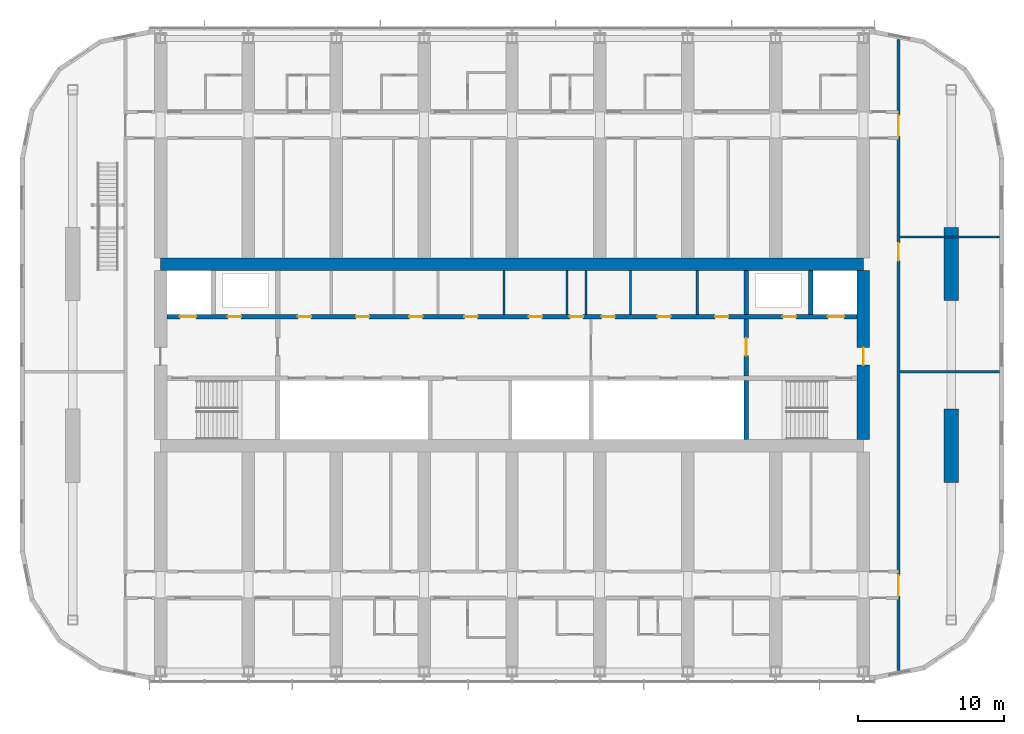
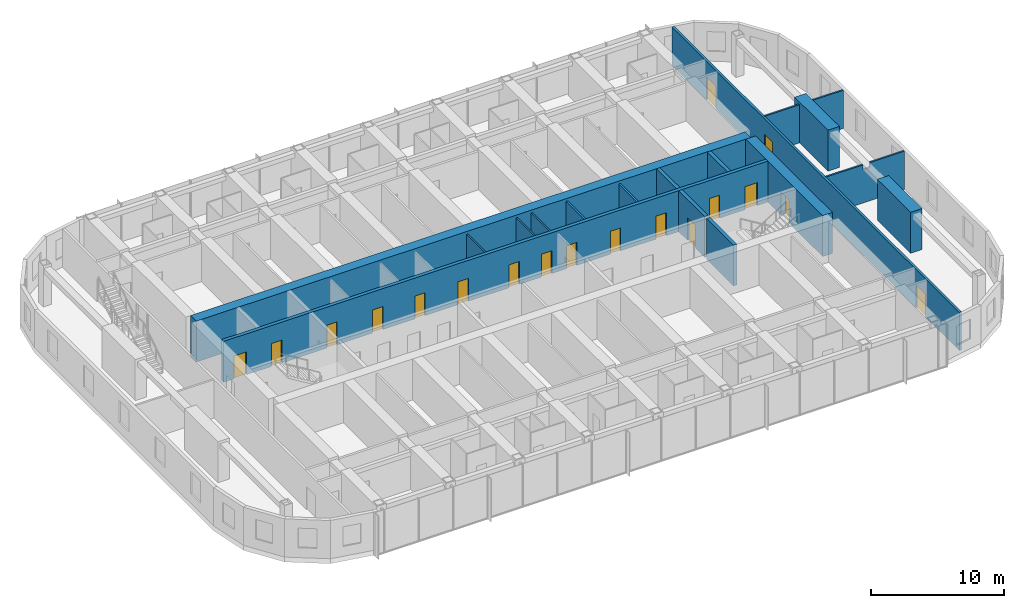
# One storey, part 18 of 29: 18 doors, 17 walls, 18 openings.
"""IFC4 building model written with IfcOpenShell, lengths in metres."""

from ifc_helpers import new_model, si_unit, direction, frame, frame_2d, origin, place, context, subcontext, project, spatial, polyline, rectangle, outline, extrude, material, layer, layer_set, type_object, element, fill, save


model = new_model("IFC4")

# Units and contexts
model_context = context("Model", 3, precision=1e-05, world=origin(), true_north=direction((0.0, 1.0)))
body_context = subcontext(model_context, "Body", "Model", "MODEL_VIEW")
ifc_project = project(units=[si_unit("LENGTHUNIT", "METRE"), si_unit("AREAUNIT", "SQUARE_METRE"), si_unit("VOLUMEUNIT", "CUBIC_METRE"), si_unit("PLANEANGLEUNIT", "RADIAN"), si_unit("MASSUNIT", "GRAM", prefix="KILO")], contexts=[model_context])

# Site, building, storey
site_placement = place(None, origin())
site = spatial("IfcSite", under=ifc_project, at=site_placement, CompositionType="ELEMENT")
building_placement = place(site_placement, origin())
building = spatial("IfcBuilding", under=site, at=building_placement, Name="Orbita Commons", CompositionType="ELEMENT")
storey_placement = place(building_placement, frame((0.0, 0.0, 148.60009765625)))
storey = spatial("IfcBuildingStorey", under=building, at=storey_placement, Name="L36", CompositionType="ELEMENT", Elevation=148.60009765625)

# Wall, openings, doors
ifc_material_1 = material(Name="Concrete C50/60", Category="concrete")
ifc_layer_1 = layer(ifc_material_1, 0.300048828125)
ifc_layer_set_1 = layer_set([ifc_layer_1], Name="Concrete C50/60")
wall_type_1 = type_object("IfcWallType", Name="Core inner wall 300 C50/60", PredefinedType="SHEAR", material=ifc_layer_set_1)
wall_1_placement = place(storey_placement, frame((18.425048828125, 34.60009765625, 0.0), z_axis=(0.0, 0.0, 1.0), x_axis=(1.0, 0.0, 0.0)))
wall_1 = element("IfcWall", 1, at=wall_1_placement, inside=storey, type_object=wall_type_1, Name="Lobby wall north L36", PredefinedType="SHEAR", context=body_context, shape_type="SweptSolid", body=[
    extrude(rectangle(XDim=47.14990234375, YDim=0.300048828125, at=frame_2d((23.574951171875, 0.0))), origin(), (0.0, 0.0, 1.0), 3.75),
])
opening_1_placement = place(wall_1_placement, frame((0.89990234375, 0.0, 0.0)))
opening_1 = element("IfcOpeningElement", 2, at=opening_1_placement, cuts=wall_1, Name="Opening LD01", PredefinedType="OPENING", context=body_context, shape_type="SweptSolid", body=[
    extrude(rectangle(XDim=1.10009765625, YDim=2.10009765625, at=frame_2d((0.550048828125, 1.050048828125))), frame((0.0, 0.159912109375, 0.0), z_axis=(0.0, -1.0, 0.0), x_axis=(1.0, 0.0, 0.0)), (0.0, 0.0, 1.0), 0.320068359375),
])
opening_2_placement = place(wall_1_placement, frame((45.14990234375, 0.0, 0.0)))
opening_2 = element("IfcOpeningElement", 3, at=opening_2_placement, cuts=wall_1, Name="Opening LD01", PredefinedType="OPENING", context=body_context, shape_type="SweptSolid", body=[
    extrude(rectangle(XDim=1.10009765625, YDim=2.10009765625, at=frame_2d((0.550048828125, 1.050048828125))), frame((0.0, 0.159912109375, 0.0), z_axis=(0.0, -1.0, 0.0), x_axis=(1.0, 0.0, 0.0)), (0.0, 0.0, 1.0), 0.320068359375),
])
opening_3_placement = place(wall_1_placement, frame((4.175048828125, 0.0, 0.0)))
opening_3 = element("IfcOpeningElement", 4, at=opening_3_placement, cuts=wall_1, Name="Opening D03", PredefinedType="OPENING", context=body_context, shape_type="SweptSolid", body=[
    extrude(rectangle(XDim=0.89990234375, YDim=2.10009765625, at=frame_2d((0.449951171875, 1.050048828125))), frame((0.0, 0.159912109375, 0.0), z_axis=(0.0, -1.0, 0.0), x_axis=(1.0, 0.0, 0.0)), (0.0, 0.0, 1.0), 0.320068359375),
])
opening_4_placement = place(wall_1_placement, frame((42.074951171875, 0.0, 0.0)))
opening_4 = element("IfcOpeningElement", 5, at=opening_4_placement, cuts=wall_1, Name="Opening D03", PredefinedType="OPENING", context=body_context, shape_type="SweptSolid", body=[
    extrude(rectangle(XDim=0.89990234375, YDim=2.10009765625, at=frame_2d((0.449951171875, 1.050048828125))), frame((0.0, 0.159912109375, 0.0), z_axis=(0.0, -1.0, 0.0), x_axis=(1.0, 0.0, 0.0)), (0.0, 0.0, 1.0), 0.320068359375),
])
opening_5_placement = place(wall_1_placement, frame((8.950439453125, 0.0, 0.0)))
opening_5 = element("IfcOpeningElement", 6, at=opening_5_placement, cuts=wall_1, Name="Opening D03", PredefinedType="OPENING", context=body_context, shape_type="SweptSolid", body=[
    extrude(rectangle(XDim=0.89990234375, YDim=2.10009765625, at=frame_2d((0.449951171875, 1.050048828125))), frame((0.0, 0.159912109375, 0.0), z_axis=(0.0, -1.0, 0.0), x_axis=(1.0, 0.0, 0.0)), (0.0, 0.0, 1.0), 0.320068359375),
])
opening_6_placement = place(wall_1_placement, frame((12.923583984375, 0.0, 0.0)))
opening_6 = element("IfcOpeningElement", 7, at=opening_6_placement, cuts=wall_1, Name="Opening D03", PredefinedType="OPENING", context=body_context, shape_type="SweptSolid", body=[
    extrude(rectangle(XDim=0.89990234375, YDim=2.10009765625, at=frame_2d((0.449951171875, 1.050048828125))), frame((0.0, 0.159912109375, 0.0), z_axis=(0.0, -1.0, 0.0), x_axis=(1.0, 0.0, 0.0)), (0.0, 0.0, 1.0), 0.320068359375),
])
opening_7_placement = place(wall_1_placement, frame((16.5712890625, 0.0, 0.0)))
opening_7 = element("IfcOpeningElement", 8, at=opening_7_placement, cuts=wall_1, Name="Opening D03", PredefinedType="OPENING", context=body_context, shape_type="SweptSolid", body=[
    extrude(rectangle(XDim=0.89990234375, YDim=2.10009765625, at=frame_2d((0.449951171875, 1.050048828125))), frame((0.0, 0.159912109375, 0.0), z_axis=(0.0, -1.0, 0.0), x_axis=(1.0, 0.0, 0.0)), (0.0, 0.0, 1.0), 0.320068359375),
])
opening_8_placement = place(wall_1_placement, frame((20.32958984375, 0.0, 0.0)))
opening_8 = element("IfcOpeningElement", 9, at=opening_8_placement, cuts=wall_1, Name="Opening D05", PredefinedType="OPENING", context=body_context, shape_type="SweptSolid", body=[
    extrude(rectangle(XDim=0.89990234375, YDim=2.10009765625, at=frame_2d((0.449951171875, 1.050048828125))), frame((0.0, 0.159912109375, 0.0), z_axis=(0.0, -1.0, 0.0), x_axis=(1.0, 0.0, 0.0)), (0.0, 0.0, 1.0), 0.320068359375),
])
opening_9_placement = place(wall_1_placement, frame((24.735595703125, 0.0, 0.0)))
opening_9 = element("IfcOpeningElement", 10, at=opening_9_placement, cuts=wall_1, Name="Opening D03", PredefinedType="OPENING", context=body_context, shape_type="SweptSolid", body=[
    extrude(rectangle(XDim=0.89990234375, YDim=2.10009765625, at=frame_2d((0.449951171875, 1.050048828125))), frame((0.0, 0.159912109375, 0.0), z_axis=(0.0, -1.0, 0.0), x_axis=(1.0, 0.0, 0.0)), (0.0, 0.0, 1.0), 0.320068359375),
])
opening_10_placement = place(wall_1_placement, frame((27.533447265625, 0.0, 0.0)))
opening_10 = element("IfcOpeningElement", 11, at=opening_10_placement, cuts=wall_1, Name="Opening D03", PredefinedType="OPENING", context=body_context, shape_type="SweptSolid", body=[
    extrude(rectangle(XDim=0.89990234375, YDim=2.10009765625, at=frame_2d((0.449951171875, 1.050048828125))), frame((0.0, 0.159912109375, 0.0), z_axis=(0.0, -1.0, 0.0), x_axis=(1.0, 0.0, 0.0)), (0.0, 0.0, 1.0), 0.320068359375),
])
opening_11_placement = place(wall_1_placement, frame((29.703125, 0.0, 0.0)))
opening_11 = element("IfcOpeningElement", 12, at=opening_11_placement, cuts=wall_1, Name="Opening D05", PredefinedType="OPENING", context=body_context, shape_type="SweptSolid", body=[
    extrude(rectangle(XDim=0.89990234375, YDim=2.10009765625, at=frame_2d((0.449951171875, 1.050048828125))), frame((0.0, 0.159912109375, 0.0), z_axis=(0.0, -1.0, 0.0), x_axis=(1.0, 0.0, 0.0)), (0.0, 0.0, 1.0), 0.320068359375),
])
opening_12_placement = place(wall_1_placement, frame((33.502197265625, 0.0, 0.0)))
opening_12 = element("IfcOpeningElement", 13, at=opening_12_placement, cuts=wall_1, Name="Opening D05", PredefinedType="OPENING", context=body_context, shape_type="SweptSolid", body=[
    extrude(rectangle(XDim=0.89990234375, YDim=2.10009765625, at=frame_2d((0.449951171875, 1.050048828125))), frame((0.0, 0.159912109375, 0.0), z_axis=(0.0, -1.0, 0.0), x_axis=(1.0, 0.0, 0.0)), (0.0, 0.0, 1.0), 0.320068359375),
])
opening_13_placement = place(wall_1_placement, frame((37.453369140625, 0.0, 0.0)))
opening_13 = element("IfcOpeningElement", 14, at=opening_13_placement, cuts=wall_1, Name="Opening D03", PredefinedType="OPENING", context=body_context, shape_type="SweptSolid", body=[
    extrude(rectangle(XDim=0.89990234375, YDim=2.10009765625, at=frame_2d((0.449951171875, 1.050048828125))), frame((0.0, 0.159912109375, 0.0), z_axis=(0.0, -1.0, 0.0), x_axis=(1.0, 0.0, 0.0)), (0.0, 0.0, 1.0), 0.320068359375),
])
ifc_material_2 = material(Name="Steel-faced fire door leaf", Category="steel")
door_type_1 = type_object("IfcDoorType", Name="Firefighting lift landing door 1100x2100", OperationType="DOUBLE_DOOR_SLIDING", PredefinedType="DOOR", material=ifc_material_2)
door_1_placement = place(opening_1_placement, origin())
door_1 = element("IfcDoor", 15, at=door_1_placement, inside=storey, type_object=door_type_1, Name="Firefighting lift FL1 landing door", OperationType="DOUBLE_DOOR_SLIDING", OverallHeight=2.10009765625, OverallWidth=1.10009765625, PredefinedType="DOOR", context=body_context, shape_type="SweptSolid", body=[
    extrude(rectangle(XDim=1.10009765625, YDim=2.10009765625, at=frame_2d((0.550048828125, 1.050048828125))), frame((0.0, 0.02490234375, 0.0), z_axis=(0.0, -1.0, 0.0), x_axis=(1.0, 0.0, 0.0)), (0.0, 0.0, 1.0), 0.050048828125),
])
fill(opening_1, door_1)
door_2_placement = place(opening_2_placement, origin())
door_2 = element("IfcDoor", 16, at=door_2_placement, inside=storey, type_object=door_type_1, Name="Firefighting lift FL2 landing door", OperationType="DOUBLE_DOOR_SLIDING", OverallHeight=2.10009765625, OverallWidth=1.10009765625, PredefinedType="DOOR", context=body_context, shape_type="SweptSolid", body=[
    extrude(rectangle(XDim=1.10009765625, YDim=2.10009765625, at=frame_2d((0.550048828125, 1.050048828125))), frame((0.0, 0.02490234375, 0.0), z_axis=(0.0, -1.0, 0.0), x_axis=(1.0, 0.0, 0.0)), (0.0, 0.0, 1.0), 0.050048828125),
])
fill(opening_2, door_2)
ifc_material_3 = material(Name="Steel-faced fire door leaf", Category="steel")
door_type_2 = type_object("IfcDoorType", Name="Service door 20 min 900x2100", OperationType="SINGLE_SWING_LEFT", PredefinedType="DOOR", material=ifc_material_3)
door_3_placement = place(opening_8_placement, origin())
door_3 = element("IfcDoor", 17, at=door_3_placement, inside=storey, type_object=door_type_2, Name="Accessible WC door", OperationType="SINGLE_SWING_LEFT", OverallHeight=2.10009765625, OverallWidth=0.89990234375, PredefinedType="DOOR", context=body_context, shape_type="SweptSolid", body=[
    extrude(rectangle(XDim=0.89990234375, YDim=2.10009765625, at=frame_2d((0.449951171875, 1.050048828125))), frame((0.0, 0.02490234375, 0.0), z_axis=(0.0, -1.0, 0.0), x_axis=(1.0, 0.0, 0.0)), (0.0, 0.0, 1.0), 0.050048828125),
])
fill(opening_8, door_3)
door_4_placement = place(opening_11_placement, origin())
door_4 = element("IfcDoor", 18, at=door_4_placement, inside=storey, type_object=door_type_2, Name="Staff WC door", OperationType="SINGLE_SWING_LEFT", OverallHeight=2.10009765625, OverallWidth=0.89990234375, PredefinedType="DOOR", context=body_context, shape_type="SweptSolid", body=[
    extrude(rectangle(XDim=0.89990234375, YDim=2.10009765625, at=frame_2d((0.449951171875, 1.050048828125))), frame((0.0, 0.02490234375, 0.0), z_axis=(0.0, -1.0, 0.0), x_axis=(1.0, 0.0, 0.0)), (0.0, 0.0, 1.0), 0.050048828125),
])
fill(opening_11, door_4)
door_5_placement = place(opening_12_placement, origin())
door_5 = element("IfcDoor", 19, at=door_5_placement, inside=storey, type_object=door_type_2, Name="Vending and ice room door", OperationType="SINGLE_SWING_LEFT", OverallHeight=2.10009765625, OverallWidth=0.89990234375, PredefinedType="DOOR", context=body_context, shape_type="SweptSolid", body=[
    extrude(rectangle(XDim=0.89990234375, YDim=2.10009765625, at=frame_2d((0.449951171875, 1.050048828125))), frame((0.0, 0.02490234375, 0.0), z_axis=(0.0, -1.0, 0.0), x_axis=(1.0, 0.0, 0.0)), (0.0, 0.0, 1.0), 0.050048828125),
])
fill(opening_12, door_5)
ifc_material_4 = material(Name="Steel-faced fire door leaf", Category="steel")
door_type_3 = type_object("IfcDoorType", Name="Shaft access door 90 min 900x2100", OperationType="SINGLE_SWING_LEFT", PredefinedType="DOOR", material=ifc_material_4)
door_6_placement = place(opening_3_placement, origin())
door_6 = element("IfcDoor", 20, at=door_6_placement, inside=storey, type_object=door_type_3, Name="Riser door west", OperationType="SINGLE_SWING_LEFT", OverallHeight=2.10009765625, OverallWidth=0.89990234375, PredefinedType="DOOR", context=body_context, shape_type="SweptSolid", body=[
    extrude(rectangle(XDim=0.89990234375, YDim=2.10009765625, at=frame_2d((0.449951171875, 1.050048828125))), frame((0.0, 0.02490234375, 0.0), z_axis=(0.0, -1.0, 0.0), x_axis=(1.0, 0.0, 0.0)), (0.0, 0.0, 1.0), 0.050048828125),
])
fill(opening_3, door_6)
door_7_placement = place(opening_4_placement, origin())
door_7 = element("IfcDoor", 21, at=door_7_placement, inside=storey, type_object=door_type_3, Name="Riser door east", OperationType="SINGLE_SWING_LEFT", OverallHeight=2.10009765625, OverallWidth=0.89990234375, PredefinedType="DOOR", context=body_context, shape_type="SweptSolid", body=[
    extrude(rectangle(XDim=0.89990234375, YDim=2.10009765625, at=frame_2d((0.449951171875, 1.050048828125))), frame((0.0, 0.02490234375, 0.0), z_axis=(0.0, -1.0, 0.0), x_axis=(1.0, 0.0, 0.0)), (0.0, 0.0, 1.0), 0.050048828125),
])
fill(opening_4, door_7)
door_8_placement = place(opening_5_placement, origin())
door_8 = element("IfcDoor", 22, at=door_8_placement, inside=storey, type_object=door_type_3, Name="Cleaners store door", OperationType="SINGLE_SWING_LEFT", OverallHeight=2.10009765625, OverallWidth=0.89990234375, PredefinedType="DOOR", context=body_context, shape_type="SweptSolid", body=[
    extrude(rectangle(XDim=0.89990234375, YDim=2.10009765625, at=frame_2d((0.449951171875, 1.050048828125))), frame((0.0, 0.02490234375, 0.0), z_axis=(0.0, -1.0, 0.0), x_axis=(1.0, 0.0, 0.0)), (0.0, 0.0, 1.0), 0.050048828125),
])
fill(opening_5, door_8)
door_9_placement = place(opening_6_placement, origin())
door_9 = element("IfcDoor", 23, at=door_9_placement, inside=storey, type_object=door_type_3, Name="Refuse chute room door", OperationType="SINGLE_SWING_LEFT", OverallHeight=2.10009765625, OverallWidth=0.89990234375, PredefinedType="DOOR", context=body_context, shape_type="SweptSolid", body=[
    extrude(rectangle(XDim=0.89990234375, YDim=2.10009765625, at=frame_2d((0.449951171875, 1.050048828125))), frame((0.0, 0.02490234375, 0.0), z_axis=(0.0, -1.0, 0.0), x_axis=(1.0, 0.0, 0.0)), (0.0, 0.0, 1.0), 0.050048828125),
])
fill(opening_6, door_9)
door_10_placement = place(opening_7_placement, origin())
door_10 = element("IfcDoor", 24, at=door_10_placement, inside=storey, type_object=door_type_3, Name="Electrical riser room door", OperationType="SINGLE_SWING_LEFT", OverallHeight=2.10009765625, OverallWidth=0.89990234375, PredefinedType="DOOR", context=body_context, shape_type="SweptSolid", body=[
    extrude(rectangle(XDim=0.89990234375, YDim=2.10009765625, at=frame_2d((0.449951171875, 1.050048828125))), frame((0.0, 0.02490234375, 0.0), z_axis=(0.0, -1.0, 0.0), x_axis=(1.0, 0.0, 0.0)), (0.0, 0.0, 1.0), 0.050048828125),
])
fill(opening_7, door_10)
door_11_placement = place(opening_9_placement, origin())
door_11 = element("IfcDoor", 25, at=door_11_placement, inside=storey, type_object=door_type_3, Name="Communications room door", OperationType="SINGLE_SWING_LEFT", OverallHeight=2.10009765625, OverallWidth=0.89990234375, PredefinedType="DOOR", context=body_context, shape_type="SweptSolid", body=[
    extrude(rectangle(XDim=0.89990234375, YDim=2.10009765625, at=frame_2d((0.449951171875, 1.050048828125))), frame((0.0, 0.02490234375, 0.0), z_axis=(0.0, -1.0, 0.0), x_axis=(1.0, 0.0, 0.0)), (0.0, 0.0, 1.0), 0.050048828125),
])
fill(opening_9, door_11)
door_12_placement = place(opening_10_placement, origin())
door_12 = element("IfcDoor", 26, at=door_12_placement, inside=storey, type_object=door_type_3, Name="Stair pressurisation duct door", OperationType="SINGLE_SWING_LEFT", OverallHeight=2.10009765625, OverallWidth=0.89990234375, PredefinedType="DOOR", context=body_context, shape_type="SweptSolid", body=[
    extrude(rectangle(XDim=0.89990234375, YDim=2.10009765625, at=frame_2d((0.449951171875, 1.050048828125))), frame((0.0, 0.02490234375, 0.0), z_axis=(0.0, -1.0, 0.0), x_axis=(1.0, 0.0, 0.0)), (0.0, 0.0, 1.0), 0.050048828125),
])
fill(opening_10, door_12)
door_13_placement = place(opening_13_placement, origin())
door_13 = element("IfcDoor", 27, at=door_13_placement, inside=storey, type_object=door_type_3, Name="Housekeeping store door", OperationType="SINGLE_SWING_LEFT", OverallHeight=2.10009765625, OverallWidth=0.89990234375, PredefinedType="DOOR", context=body_context, shape_type="SweptSolid", body=[
    extrude(rectangle(XDim=0.89990234375, YDim=2.10009765625, at=frame_2d((0.449951171875, 1.050048828125))), frame((0.0, 0.02490234375, 0.0), z_axis=(0.0, -1.0, 0.0), x_axis=(1.0, 0.0, 0.0)), (0.0, 0.0, 1.0), 0.050048828125),
])
fill(opening_13, door_13)

# Wall
wall_2_placement = place(storey_placement, frame((58.0, 26.22509765625, 0.0), z_axis=(0.0, 0.0, 1.0), x_axis=(0.0, 1.0, 0.0)))
element("IfcWall", 28, at=wall_2_placement, inside=storey, type_object=wall_type_1, Name="Stair S2 wall L36", PredefinedType="SHEAR", context=body_context, shape_type="SweptSolid", body=[
    extrude(rectangle(XDim=4.02490234375, YDim=0.300048828125, at=frame_2d((2.012451171875, 0.0))), origin(), (0.0, 0.0, 1.0), 3.75),
])

# Wall, opening, door
wall_3_placement = place(storey_placement, frame((58.0, 30.550048828125, 0.0), z_axis=(0.0, 0.0, 1.0), x_axis=(0.0, 1.0, 0.0)))
wall_3 = element("IfcWall", 29, at=wall_3_placement, inside=storey, type_object=wall_type_1, Name="Firefighting lobby wall east L36", PredefinedType="SHEAR", context=body_context, shape_type="SweptSolid", body=[
    extrude(rectangle(XDim=3.89990234375, YDim=0.300048828125, at=frame_2d((1.949951171875, 0.0))), origin(), (0.0, 0.0, 1.0), 3.75),
])
opening_14_placement = place(wall_3_placement, frame((1.39990234375, 0.0, 0.0)))
opening_14 = element("IfcOpeningElement", 30, at=opening_14_placement, cuts=wall_3, Name="Opening D04", PredefinedType="OPENING", context=body_context, shape_type="SweptSolid", body=[
    extrude(rectangle(XDim=1.199951171875, YDim=2.10009765625, at=frame_2d((0.60009765625, 1.050048828125))), frame((0.0, 0.159912109375, 0.0), z_axis=(0.0, -1.0, 0.0), x_axis=(1.0, 0.0, 0.0)), (0.0, 0.0, 1.0), 0.320068359375),
])
ifc_material_5 = material(Name="Steel-faced fire door leaf", Category="steel")
door_type_4 = type_object("IfcDoorType", Name="Service door 20 min 1200x2100", OperationType="SINGLE_SWING_LEFT", PredefinedType="DOOR", material=ifc_material_5)
door_14_placement = place(opening_14_placement, origin())
door_14 = element("IfcDoor", 31, at=door_14_placement, inside=storey, type_object=door_type_4, Name="Lift lobby door east", OperationType="SINGLE_SWING_LEFT", OverallHeight=2.10009765625, OverallWidth=1.199951171875, PredefinedType="DOOR", context=body_context, shape_type="SweptSolid", body=[
    extrude(rectangle(XDim=1.199951171875, YDim=2.10009765625, at=frame_2d((0.60009765625, 1.050048828125))), frame((0.0, 0.02490234375, 0.0), z_axis=(0.0, -1.0, 0.0), x_axis=(1.0, 0.0, 0.0)), (0.0, 0.0, 1.0), 0.050048828125),
])
fill(opening_14, door_14)

# Walls
for number, where, z_axis, x_axis, name in (
    (32, (62.39990234375, 34.75, 0.0), (0.0, 0.0, 1.0), (0.0, 1.0, 0.0), "Firefighting lift FL2 shaft wall L36"),
    (33, (58.0, 34.75, 0.0), (0.0, 0.0, 1.0), (0.0, 1.0, 0.0), "Riser wall east L36"),
):
    element("IfcWall", number, at=place(storey_placement, frame(where, z_axis=z_axis, x_axis=x_axis)), inside=storey, type_object=wall_type_1, Name=name, PredefinedType="SHEAR", context=body_context, shape_type="SweptSolid", body=[
        extrude(rectangle(XDim=3.02490234375, YDim=0.300048828125, at=frame_2d((1.512451171875, 0.0))), origin(), (0.0, 0.0, 1.0), 3.75),
    ])
ifc_material_6 = material(Name="Concrete blockwork", Category="masonry")
ifc_layer_2 = layer(ifc_material_6, 0.14990234375)
ifc_layer_set_2 = layer_set([ifc_layer_2], Name="Concrete blockwork")
wall_type_2 = type_object("IfcWallType", Name="Core partition 150 blockwork", PredefinedType="SOLIDWALL", material=ifc_layer_set_2)
for number, where, z_axis, x_axis, name in (
    (34, (41.463134765625, 34.75, 0.0), (0.0, 0.0, 1.0), (0.0, 1.0, 0.0), "Core partition 150 blockwork L36"),
    (35, (45.75830078125, 34.75, 0.0), (0.0, 0.0, 1.0), (0.0, 1.0, 0.0), "Core partition 150 blockwork L36"),
    (36, (47.058349609375, 34.75, 0.0), (0.0, 0.0, 1.0), (0.0, 1.0, 0.0), "Core partition 150 blockwork L36"),
    (37, (50.09765625, 34.75, 0.0), (0.0, 0.0, 1.0), (0.0, 1.0, 0.0), "Core partition 150 blockwork L36"),
    (38, (54.65673828125, 34.75, 0.0), (0.0, 0.0, 1.0), (0.0, 1.0, 0.0), "Core partition 150 blockwork L36"),
):
    element("IfcWall", number, at=place(storey_placement, frame(where, z_axis=z_axis, x_axis=x_axis)), inside=storey, type_object=wall_type_2, Name=name, PredefinedType="SOLIDWALL", context=body_context, shape_type="SweptSolid", body=[
        extrude(rectangle(XDim=3.02490234375, YDim=0.14990234375, at=frame_2d((1.512451171875, 0.0))), origin(), (0.0, 0.0, 1.0), 3.5),
    ])
ifc_material_7 = material(Name="Concrete C50/60", Category="concrete")
ifc_layer_3 = layer(ifc_material_7, 0.85009765625)
ifc_layer_set_3 = layer_set([ifc_layer_3], Name="Concrete C50/60")
wall_type_3 = type_object("IfcWallType", Name="Core wall 850 C50/60", PredefinedType="SHEAR", material=ifc_layer_set_3)
wall_4_placement = place(storey_placement, frame((18.0, 38.199951171875, 0.0), z_axis=(0.0, 0.0, 1.0), x_axis=(1.0, 0.0, 0.0)))
element("IfcWall", 39, at=wall_4_placement, inside=storey, type_object=wall_type_3, Name="Core spine wall north L36", PredefinedType="SHEAR", context=body_context, shape_type="SweptSolid", body=[
    extrude(rectangle(XDim=48.0, YDim=0.85009765625, at=frame_2d((24.0, 0.0))), origin(), (0.0, 0.0, 1.0), 3.75),
])

# Wall, opening, door
wall_5_placement = place(storey_placement, frame((66.0, 26.22509765625, 0.0), z_axis=(0.0, 0.0, 1.0), x_axis=(0.0, 1.0, 0.0)))
wall_5 = element("IfcWall", 40, at=wall_5_placement, inside=storey, type_object=wall_type_3, Name="Core end wall east L36", PredefinedType="SHEAR", context=body_context, shape_type="SweptSolid", body=[
    extrude(rectangle(XDim=11.5498046875, YDim=0.85009765625, at=frame_2d((5.77490234375, 0.0))), origin(), (0.0, 0.0, 1.0), 3.75),
])
opening_15_placement = place(wall_5_placement, frame((5.074951171875, 0.0, 0.0)))
opening_15 = element("IfcOpeningElement", 41, at=opening_15_placement, cuts=wall_5, Name="Opening D01", PredefinedType="OPENING", context=body_context, shape_type="SweptSolid", body=[
    extrude(rectangle(XDim=1.199951171875, YDim=2.10009765625, at=frame_2d((0.60009765625, 1.050048828125))), frame((0.0, 0.43505859375, 0.0), z_axis=(0.0, -1.0, 0.0), x_axis=(1.0, 0.0, 0.0)), (0.0, 0.0, 1.0), 0.8701171875),
])
ifc_material_8 = material(Name="Steel-faced fire door leaf", Category="steel")
door_type_5 = type_object("IfcDoorType", Name="Fire door 90 min 1200x2100", OperationType="SINGLE_SWING_LEFT", PredefinedType="DOOR", material=ifc_material_8)
door_15_placement = place(opening_15_placement, origin())
door_15 = element("IfcDoor", 42, at=door_15_placement, inside=storey, type_object=door_type_5, Name="Firefighting lobby east door", OperationType="SINGLE_SWING_LEFT", OverallHeight=2.10009765625, OverallWidth=1.199951171875, PredefinedType="DOOR", context=body_context, shape_type="SweptSolid", body=[
    extrude(rectangle(XDim=1.199951171875, YDim=2.10009765625, at=frame_2d((0.60009765625, 1.050048828125))), frame((0.0, 0.02490234375, 0.0), z_axis=(0.0, -1.0, 0.0), x_axis=(1.0, 0.0, 0.0)), (0.0, 0.0, 1.0), 0.050048828125),
])
fill(opening_15, door_15)

# Wall, openings, doors
ifc_material_9 = material(Name="Concrete blockwork", Category="masonry")
ifc_layer_4 = layer(ifc_material_9, 0.199951171875)
ifc_layer_set_4 = layer_set([ifc_layer_4], Name="Concrete blockwork")
wall_type_4 = type_object("IfcWallType", Name="Corridor wall 200 blockwork", PredefinedType="SOLIDWALL", material=ifc_layer_set_4)
wall_6_placement = place(storey_placement, frame((68.39990234375, 10.4462890625, 0.0), z_axis=(0.0, 0.0, 1.0), x_axis=(0.0, 1.0, 0.0)))
wall_6 = element("IfcWall", 43, at=wall_6_placement, inside=storey, type_object=wall_type_4, Name="Corridor wall 200 blockwork L36", PredefinedType="SOLIDWALL", context=body_context, shape_type="SweptSolid", body=[
    extrude(rectangle(XDim=43.107421875, YDim=0.199951171875, at=frame_2d((21.5537109375, 0.0))), origin(), (0.0, 0.0, 1.0), 3.5),
])
opening_16_placement = place(wall_6_placement, frame((27.993896484375, 0.0, 0.0)))
opening_16 = element("IfcOpeningElement", 44, at=opening_16_placement, cuts=wall_6, Name="Opening D15", PredefinedType="OPENING", context=body_context, shape_type="SweptSolid", body=[
    extrude(rectangle(XDim=1.199951171875, YDim=2.10009765625, at=frame_2d((0.60009765625, 1.050048828125))), frame((0.0, 0.10986328125, 0.0), z_axis=(0.0, -1.0, 0.0), x_axis=(1.0, 0.0, 0.0)), (0.0, 0.0, 1.0), 0.219970703125),
])
opening_17_placement = place(wall_6_placement, frame((5.103759765625, 0.0, 0.0)))
opening_17 = element("IfcOpeningElement", 45, at=opening_17_placement, cuts=wall_6, Name="Opening D08", PredefinedType="OPENING", context=body_context, shape_type="SweptSolid", body=[
    extrude(rectangle(XDim=1.39990234375, YDim=2.10009765625, at=frame_2d((0.699951171875, 1.050048828125))), frame((0.0, 0.10986328125, 0.0), z_axis=(0.0, -1.0, 0.0), x_axis=(1.0, 0.0, 0.0)), (0.0, 0.0, 1.0), 0.219970703125),
])
opening_18_placement = place(wall_6_placement, frame((36.50390625, 0.0, 0.0)))
opening_18 = element("IfcOpeningElement", 46, at=opening_18_placement, cuts=wall_6, Name="Opening D08", PredefinedType="OPENING", context=body_context, shape_type="SweptSolid", body=[
    extrude(rectangle(XDim=1.39990234375, YDim=2.10009765625, at=frame_2d((0.699951171875, 1.050048828125))), frame((0.0, 0.10986328125, 0.0), z_axis=(0.0, -1.0, 0.0), x_axis=(1.0, 0.0, 0.0)), (0.0, 0.0, 1.0), 0.219970703125),
])
ifc_material_10 = material(Name="Steel-faced fire door leaf", Category="steel")
door_type_6 = type_object("IfcDoorType", Name="Corridor door 20 min 1200x2100", OperationType="SINGLE_SWING_LEFT", PredefinedType="DOOR", material=ifc_material_10)
door_16_placement = place(opening_16_placement, origin())
door_16 = element("IfcDoor", 47, at=door_16_placement, inside=storey, type_object=door_type_6, Name="Study hall door", OperationType="SINGLE_SWING_LEFT", OverallHeight=2.10009765625, OverallWidth=1.199951171875, PredefinedType="DOOR", context=body_context, shape_type="SweptSolid", body=[
    extrude(rectangle(XDim=1.199951171875, YDim=2.10009765625, at=frame_2d((0.60009765625, 1.050048828125))), frame((0.0, 0.02490234375, 0.0), z_axis=(0.0, -1.0, 0.0), x_axis=(1.0, 0.0, 0.0)), (0.0, 0.0, 1.0), 0.050048828125),
])
fill(opening_16, door_16)
ifc_material_11 = material(Name="Steel-faced fire door leaf", Category="steel")
door_type_7 = type_object("IfcDoorType", Name="Double corridor door 20 min 1400x2100", OperationType="DOUBLE_DOOR_SINGLE_SWING", PredefinedType="DOOR", material=ifc_material_11)
door_17_placement = place(opening_17_placement, origin())
door_17 = element("IfcDoor", 48, at=door_17_placement, inside=storey, type_object=door_type_7, Name="Lounge doors", OperationType="DOUBLE_DOOR_SINGLE_SWING", OverallHeight=2.10009765625, OverallWidth=1.39990234375, PredefinedType="DOOR", context=body_context, shape_type="SweptSolid", body=[
    extrude(rectangle(XDim=1.39990234375, YDim=2.10009765625, at=frame_2d((0.699951171875, 1.050048828125))), frame((0.0, 0.02490234375, 0.0), z_axis=(0.0, -1.0, 0.0), x_axis=(1.0, 0.0, 0.0)), (0.0, 0.0, 1.0), 0.050048828125),
])
fill(opening_17, door_17)
door_18_placement = place(opening_18_placement, origin())
door_18 = element("IfcDoor", 49, at=door_18_placement, inside=storey, type_object=door_type_7, Name="Lounge doors", OperationType="DOUBLE_DOOR_SINGLE_SWING", OverallHeight=2.10009765625, OverallWidth=1.39990234375, PredefinedType="DOOR", context=body_context, shape_type="SweptSolid", body=[
    extrude(rectangle(XDim=1.39990234375, YDim=2.10009765625, at=frame_2d((0.699951171875, 1.050048828125))), frame((0.0, 0.02490234375, 0.0), z_axis=(0.0, -1.0, 0.0), x_axis=(1.0, 0.0, 0.0)), (0.0, 0.0, 1.0), 0.050048828125),
])
fill(opening_18, door_18)

# Walls
ifc_material_12 = material(Name="Concrete C50/60", Category="concrete")
ifc_layer_5 = layer(ifc_material_12, 1.0)
ifc_layer_set_5 = layer_set([ifc_layer_5], Name="Concrete C50/60")
wall_type_5 = type_object("IfcWallType", Name="End pier 1000x5000 C50/60", PredefinedType="SHEAR", material=ifc_layer_set_5)
for number, where, z_axis, x_axis, name in (
    (50, (72.0, 23.300048828125, 0.0), (0.0, 0.0, 1.0), (0.0, 1.0, 0.0), "End pier 13/C L36"),
    (51, (72.0, 35.699951171875, 0.0), (0.0, 0.0, 1.0), (0.0, 1.0, 0.0), "End pier 13/D L36"),
):
    element("IfcWall", number, at=place(storey_placement, frame(where, z_axis=z_axis, x_axis=x_axis)), inside=storey, type_object=wall_type_5, Name=name, PredefinedType="SHEAR", context=body_context, shape_type="SweptSolid", body=[
        extrude(rectangle(XDim=5.0, YDim=1.0, at=frame_2d((2.5, 0.0))), origin(), (0.0, 0.0, 1.0), 3.75),
    ])
ifc_material_13 = material(Name="Gypsum plasterboard on steel studs", Category="steel")
ifc_layer_6 = layer(ifc_material_13, 0.14990234375)
ifc_layer_set_6 = layer_set([ifc_layer_6], Name="Gypsum plasterboard on steel studs")
wall_type_6 = type_object("IfcWallType", Name="Partition 150 plasterboard", PredefinedType="PARTITIONING", material=ifc_layer_set_6)
wall_7_placement = place(storey_placement, frame((68.47509765625, 30.85009765625, 0.0), z_axis=(0.0, 0.0, 1.0), x_axis=(1.0, 0.0, 0.0)))
element("IfcWall", 52, at=wall_7_placement, inside=storey, type_object=wall_type_6, Name="Partition 150 plasterboard L36", PredefinedType="PARTITIONING", context=body_context, shape_type="SweptSolid", body=[
    extrude(outline(polyline([(0.0, 0.0), (6.81982421875, 0.0), (6.820068359375, 3.5), (3.826904296875, 3.5), (3.824951171875, 3.0498046875), (3.22705078125, 3.0498046875), (3.22509765625, 3.5), (0.0, 3.5), (0.0, 0.0)])), frame((0.0, 0.074951171875, 0.0), z_axis=(0.0, -1.0, 0.0), x_axis=(1.0, 0.0, 0.0)), (0.0, 0.0, 1.0), 0.14990234375),
])
wall_8_placement = place(storey_placement, frame((68.47509765625, 40.0400390625, 0.0), z_axis=(0.0, 0.0, 1.0), x_axis=(1.0, 0.0, 0.0)))
element("IfcWall", 53, at=wall_8_placement, inside=storey, type_object=wall_type_6, Name="Partition 150 plasterboard L36", PredefinedType="PARTITIONING", context=body_context, shape_type="SweptSolid", body=[
    extrude(rectangle(XDim=6.81982421875, YDim=0.14990234375, at=frame_2d((3.409912109375, 0.0))), origin(), (0.0, 0.0, 1.0), 3.5),
])

save(model, "model.ifc")
